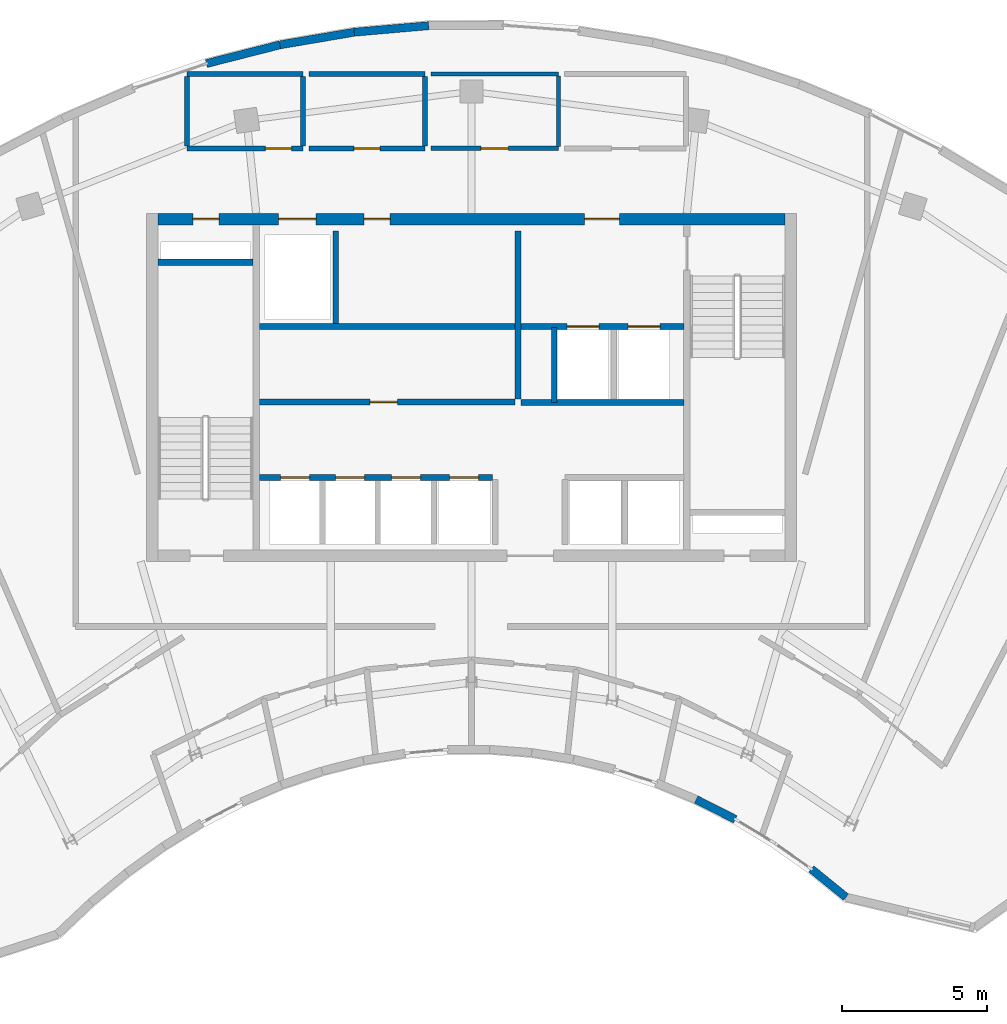
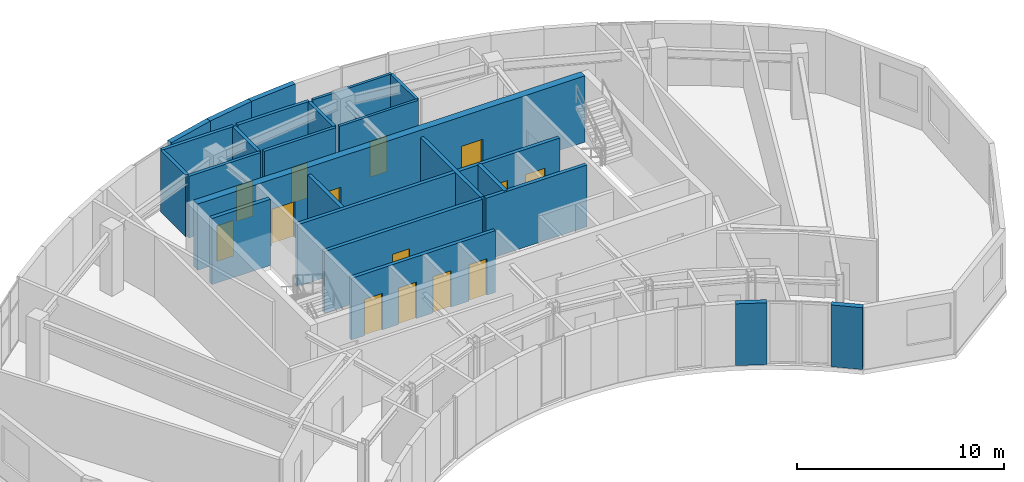
# One storey, part 6 of 9: 25 walls, 14 doors, 14 openings.
"""IFC4 building model written with IfcOpenShell, lengths in metres."""

from ifc_helpers import new_model, si_unit, direction, frame, frame_2d, origin, place, context, subcontext, project, spatial, rectangle, extrude, source, transform, mapped, material, layer, layer_set, type_object, type_shapes, element, fill, save


model = new_model("IFC4")

# Units and contexts
model_context = context("Model", 3, precision=1e-05, world=origin(), true_north=direction((0.0, 1.0)))
body_context = subcontext(model_context, "Body", "Model", "MODEL_VIEW")
ifc_project = project(units=[si_unit("LENGTHUNIT", "METRE"), si_unit("AREAUNIT", "SQUARE_METRE"), si_unit("VOLUMEUNIT", "CUBIC_METRE"), si_unit("PLANEANGLEUNIT", "RADIAN"), si_unit("MASSUNIT", "GRAM", prefix="KILO")], contexts=[model_context])

# Site, building, storey
site_placement = place(None, origin())
site = spatial("IfcSite", under=ifc_project, at=site_placement, CompositionType="ELEMENT")
building_placement = place(site_placement, origin())
building = spatial("IfcBuilding", under=site, at=building_placement, Name="Breltana Convention Tower", CompositionType="ELEMENT")
storey_placement = place(building_placement, frame((0.0, 0.0, 287.39990234375)))
storey = spatial("IfcBuildingStorey", under=building, at=storey_placement, Name="L70", CompositionType="ELEMENT", Elevation=287.39990234375)

# Wall
ifc_material_1 = material(Name="Concrete C50/60", Category="concrete")
ifc_layer_1 = layer(ifc_material_1, 0.39990234375, Name="Concrete C50/60")
ifc_layer_set_1 = layer_set([ifc_layer_1], Name="Concrete C50/60")
wall_type_1 = type_object("IfcWallType", Name="SW-CORE-400", PredefinedType="SHEAR", material=ifc_layer_set_1)
shared_shape_1 = source(origin(), body_context, "Body", "SweptSolid", [
    extrude(rectangle(XDim=3.27001953125, YDim=0.219970703125, at=frame_2d((1.635009765625, 0.0))), origin(), (0.0, 0.0, 1.0), 3.900146484375),
])
wall_1_placement = place(storey_placement, frame((37.199951171875, 70.510009765625, 0.0), z_axis=(0.0, 0.0, 1.0), x_axis=(1.0, 0.0, 0.0)))
element("IfcWall", 1, at=wall_1_placement, inside=storey, type_object=wall_type_1, Name="L70 ST-1 Stairwell North Bearing Wall", PredefinedType="SHEAR", context=body_context, shape_type="MappedRepresentation", body=[
    mapped(shared_shape_1, transform((0.0, 0.0, 0.0), scale=1.0)),
])

# Wall, openings, doors
shared_shape_2 = source(origin(), body_context, "Body", "SweptSolid", [
    extrude(rectangle(XDim=21.60009765625, YDim=0.39990234375, at=frame_2d((10.800048828125, 0.0))), origin(), (0.0, 0.0, 1.0), 3.900146484375),
])
wall_2_placement = place(storey_placement, frame((37.199951171875, 72.0, 0.0), z_axis=(0.0, 0.0, 1.0), x_axis=(1.0, 0.0, 0.0)))
wall_2 = element("IfcWall", 2, at=wall_2_placement, inside=storey, type_object=wall_type_1, Name="L70 North Core Shear Wall", PredefinedType="SHEAR", context=body_context, shape_type="MappedRepresentation", body=[
    mapped(shared_shape_2, transform((0.0, 0.0, 0.0), scale=1.0)),
])
opening_1_placement = place(wall_2_placement, frame((1.199951171875, 0.0, 0.0)))
opening_1 = element("IfcOpeningElement", 3, at=opening_1_placement, cuts=wall_2, Name="Opening D-18", PredefinedType="OPENING", context=body_context, shape_type="SweptSolid", body=[
    extrude(rectangle(XDim=0.89990234375, YDim=2.10009765625, at=frame_2d((0.449951171875, 1.050048828125))), frame((0.0, 0.2099609375, 0.0), z_axis=(0.0, -1.0, 0.0), x_axis=(1.0, 0.0, 0.0)), (0.0, 0.0, 1.0), 0.419921875),
])
opening_2_placement = place(wall_2_placement, frame((14.699951171875, 0.0, 0.0)))
opening_2 = element("IfcOpeningElement", 4, at=opening_2_placement, cuts=wall_2, Name="Opening D-09", PredefinedType="OPENING", context=body_context, shape_type="SweptSolid", body=[
    extrude(rectangle(XDim=1.199951171875, YDim=2.14990234375, at=frame_2d((0.60009765625, 1.074951171875))), frame((0.0, 0.2099609375, 0.0), z_axis=(0.0, -1.0, 0.0), x_axis=(1.0, 0.0, 0.0)), (0.0, 0.0, 1.0), 0.419921875),
])
opening_3_placement = place(wall_2_placement, frame((4.14990234375, 0.0, 0.0)))
opening_3 = element("IfcOpeningElement", 5, at=opening_3_placement, cuts=wall_2, Name="Opening LD-01", PredefinedType="OPENING", context=body_context, shape_type="SweptSolid", body=[
    extrude(rectangle(XDim=1.300048828125, YDim=2.14990234375, at=frame_2d((0.64990234375, 1.074951171875))), frame((0.0, 0.2099609375, 0.0), z_axis=(0.0, -1.0, 0.0), x_axis=(1.0, 0.0, 0.0)), (0.0, 0.0, 1.0), 0.419921875),
])
opening_4_placement = place(wall_2_placement, frame((7.10009765625, 0.0, 0.0)))
opening_4 = element("IfcOpeningElement", 6, at=opening_4_placement, cuts=wall_2, Name="Opening D-18", PredefinedType="OPENING", context=body_context, shape_type="SweptSolid", body=[
    extrude(rectangle(XDim=0.89990234375, YDim=2.10009765625, at=frame_2d((0.449951171875, 1.050048828125))), frame((0.0, 0.2099609375, 0.0), z_axis=(0.0, -1.0, 0.0), x_axis=(1.0, 0.0, 0.0)), (0.0, 0.0, 1.0), 0.419921875),
])
ifc_material_2 = material(Name="Steel Riser Fire Door", Category="steel")
door_type_1 = type_object("IfcDoorType", Name="DR-FD60-900", OperationType="NOTDEFINED", PredefinedType="DOOR", material=ifc_material_2)
shared_shape_3 = source(origin(), body_context, "Body", "SweptSolid", [
    extrude(rectangle(XDim=0.89990234375, YDim=2.10009765625, at=frame_2d((0.449951171875, 1.050048828125))), frame((0.0, 0.02490234375, 0.0), z_axis=(0.0, -1.0, 0.0), x_axis=(1.0, 0.0, 0.0)), (0.0, 0.0, 1.0), 0.050048828125),
])
type_shapes(door_type_1, [shared_shape_3])
door_1_placement = place(opening_1_placement, origin())
door_1 = element("IfcDoor", 7, at=door_1_placement, inside=storey, type_object=door_type_1, Name="L70 Core Riser Access Door D-L70-RS1", OperationType="SINGLE_SWING_LEFT", OverallHeight=2.10009765625, OverallWidth=0.89990234375, PredefinedType="DOOR", context=body_context, shape_type="MappedRepresentation", body=[
    mapped(shared_shape_3, transform((0.0, 0.0, 0.0), scale=1.0)),
])
fill(opening_1, door_1)
door_2_placement = place(opening_4_placement, origin())
door_2 = element("IfcDoor", 8, at=door_2_placement, inside=storey, type_object=door_type_1, Name="L70 interior door D-L70-CRA1", OperationType="SINGLE_SWING_RIGHT", OverallHeight=2.10009765625, OverallWidth=0.89990234375, PredefinedType="DOOR", context=body_context, shape_type="MappedRepresentation", body=[
    mapped(shared_shape_3, transform((0.0, 0.0, 0.0), scale=1.0)),
])
fill(opening_4, door_2)
ifc_material_3 = material(Name="Steel Fire Lobby Door", Category="steel")
door_type_2 = type_object("IfcDoorType", Name="DR-FD120-1200", OperationType="NOTDEFINED", PredefinedType="DOOR", material=ifc_material_3)
shared_shape_4 = source(origin(), body_context, "Body", "SweptSolid", [
    extrude(rectangle(XDim=1.199951171875, YDim=2.14990234375, at=frame_2d((0.60009765625, 1.074951171875))), frame((0.0, 0.02490234375, 0.0), z_axis=(0.0, -1.0, 0.0), x_axis=(1.0, 0.0, 0.0)), (0.0, 0.0, 1.0), 0.050048828125),
])
type_shapes(door_type_2, [shared_shape_4])
door_3_placement = place(opening_2_placement, origin())
door_3 = element("IfcDoor", 9, at=door_3_placement, inside=storey, type_object=door_type_2, Name="L70 interior door D-L70-FFL-N", OperationType="SINGLE_SWING_RIGHT", OverallHeight=2.14990234375, OverallWidth=1.199951171875, PredefinedType="DOOR", context=body_context, shape_type="MappedRepresentation", body=[
    mapped(shared_shape_4, transform((0.0, 0.0, 0.0), scale=1.0)),
])
fill(opening_2, door_3)
ifc_material_4 = material(Name="Stainless Steel Brushed", Category="steel")
door_type_3 = type_object("IfcDoorType", Name="DR-LD-SRV-1300", OperationType="DOUBLE_DOOR_SLIDING", PredefinedType="DOOR", material=ifc_material_4)
shared_shape_5 = source(origin(), body_context, "Body", "SweptSolid", [
    extrude(rectangle(XDim=1.300048828125, YDim=2.14990234375, at=frame_2d((0.64990234375, 1.074951171875))), frame((0.0, 0.02490234375, 0.0), z_axis=(0.0, -1.0, 0.0), x_axis=(1.0, 0.0, 0.0)), (0.0, 0.0, 1.0), 0.050048828125),
])
type_shapes(door_type_3, [shared_shape_5])
door_4_placement = place(opening_3_placement, origin())
door_4 = element("IfcDoor", 10, at=door_4_placement, inside=storey, type_object=door_type_3, Name="L70 Lift Landing Door D-L70-LD-SV1", OperationType="DOUBLE_DOOR_SLIDING", OverallHeight=2.14990234375, OverallWidth=1.300048828125, PredefinedType="DOOR", context=body_context, shape_type="MappedRepresentation", body=[
    mapped(shared_shape_5, transform((0.0, 0.0, 0.0), scale=1.0)),
])
fill(opening_3, door_4)

# Walls
ifc_material_5 = material(Name="Limestone Buff Insulated Wall", Category="masonry")
ifc_layer_2 = layer(ifc_material_5, 0.280029296875, Name="Limestone Buff Insulated Wall")
ifc_layer_set_2 = layer_set([ifc_layer_2], Name="Limestone Buff Insulated Wall")
wall_type_2 = type_object("IfcWallType", Name="WL-EXT-NOSE-280", PredefinedType="SOLIDWALL", material=ifc_layer_set_2)
shared_shape_6 = source(origin(), body_context, "Body", "SweptSolid", [
    extrude(rectangle(XDim=1.54345703125, YDim=0.280029296875, at=frame_2d((0.771728515625, 0.0))), origin(), (0.0, 0.0, 1.0), 3.64013671875),
])
wall_3_placement = place(storey_placement, frame((60.90771484375, 48.631591796875, 0.0), z_axis=(0.0, 0.0, 1.0), x_axis=(-0.77582846857, 0.63094388606, 0.0)))
element("IfcWall", 11, at=wall_3_placement, inside=storey, type_object=wall_type_2, Name="L70 curved limestone nose wall E6", PredefinedType="SOLIDWALL", context=body_context, shape_type="MappedRepresentation", body=[
    mapped(shared_shape_6, transform((0.0, 0.0, 0.0), scale=1.0)),
])
shared_shape_7 = source(origin(), body_context, "Body", "SweptSolid", [
    extrude(rectangle(XDim=1.508544921875, YDim=0.280029296875, at=frame_2d((0.75439453125, 0.0))), origin(), (0.0, 0.0, 1.0), 3.64013671875),
])
wall_4_placement = place(storey_placement, frame((57.09375, 51.3154296875, 0.0), z_axis=(0.0, 0.0, 1.0), x_axis=(-0.89169189228, 0.452642871635, 0.0)))
element("IfcWall", 12, at=wall_4_placement, inside=storey, type_object=wall_type_2, Name="L70 curved limestone nose wall E7", PredefinedType="SOLIDWALL", context=body_context, shape_type="MappedRepresentation", body=[
    mapped(shared_shape_7, transform((0.0, 0.0, 0.0), scale=1.0)),
])
shared_shape_8 = source(origin(), body_context, "Body", "SweptSolid", [
    extrude(rectangle(XDim=2.6142578125, YDim=0.280029296875, at=frame_2d((1.30712890625, 0.0))), origin(), (0.0, 0.0, 1.0), 3.64013671875),
])
wall_5_placement = place(storey_placement, frame((38.86328125, 77.36181640625, 0.0), z_axis=(0.0, 0.0, 1.0), x_axis=(0.969106509315, 0.246642602978, 0.0)))
element("IfcWall", 13, at=wall_5_placement, inside=storey, type_object=wall_type_2, Name="L70 curved limestone nose wall E24", PredefinedType="SOLIDWALL", context=body_context, shape_type="MappedRepresentation", body=[
    mapped(shared_shape_8, transform((0.0, 0.0, 0.0), scale=1.0)),
])
shared_shape_9 = source(origin(), body_context, "Body", "SweptSolid", [
    extrude(rectangle(XDim=2.58251953125, YDim=0.280029296875, at=frame_2d((1.291259765625, 0.0))), origin(), (0.0, 0.0, 1.0), 3.64013671875),
])
wall_6_placement = place(storey_placement, frame((43.954345703125, 78.4423828125, 0.0), z_axis=(0.0, 0.0, 1.0), x_axis=(0.996168946569, 0.087449584851, 0.0)))
element("IfcWall", 14, at=wall_6_placement, inside=storey, type_object=wall_type_2, Name="L70 curved limestone nose wall E26", PredefinedType="SOLIDWALL", context=body_context, shape_type="MappedRepresentation", body=[
    mapped(shared_shape_9, transform((0.0, 0.0, 0.0), scale=1.0)),
])
shared_shape_10 = source(origin(), body_context, "Body", "SweptSolid", [
    extrude(rectangle(XDim=2.594482421875, YDim=0.280029296875, at=frame_2d((1.29736328125, 0.0))), origin(), (0.0, 0.0, 1.0), 3.64013671875),
])
wall_7_placement = place(storey_placement, frame((41.396728515625, 78.006591796875, 0.0), z_axis=(0.0, 0.0, 1.0), x_axis=(0.985792341502, 0.167968626344, 0.0)))
element("IfcWall", 15, at=wall_7_placement, inside=storey, type_object=wall_type_2, Name="L70 curved limestone nose wall E25", PredefinedType="SOLIDWALL", context=body_context, shape_type="MappedRepresentation", body=[
    mapped(shared_shape_10, transform((0.0, 0.0, 0.0), scale=1.0)),
])

# Wall, openings, doors
ifc_material_6 = material(Name="Autoclaved Aerated Concrete Block", Category="concrete")
ifc_layer_3 = layer(ifc_material_6, 0.199951171875, Name="Autoclaved Aerated Concrete Block")
ifc_layer_set_3 = layer_set([ifc_layer_3], Name="Autoclaved Aerated Concrete Block")
wall_type_3 = type_object("IfcWallType", Name="WL-SHAFT-200", PredefinedType="SOLIDWALL", material=ifc_layer_set_3)
shared_shape_11 = source(origin(), body_context, "Body", "SweptSolid", [
    extrude(rectangle(XDim=5.6201171875, YDim=0.199951171875, at=frame_2d((2.81005859375, 0.0))), origin(), (0.0, 0.0, 1.0), 3.64013671875),
])
wall_8_placement = place(storey_placement, frame((49.699951171875, 68.300048828125, 0.0), z_axis=(0.0, 0.0, 1.0), x_axis=(1.0, 0.0, 0.0)))
wall_8 = element("IfcWall", 16, at=wall_8_placement, inside=storey, type_object=wall_type_3, Name="L70 interior partition W-L70-FFL-S", PredefinedType="SOLIDWALL", context=body_context, shape_type="MappedRepresentation", body=[
    mapped(shared_shape_11, transform((0.0, 0.0, 0.0), scale=1.0)),
])
opening_5_placement = place(wall_8_placement, frame((1.60009765625, 0.0, 0.0)))
opening_5 = element("IfcOpeningElement", 17, at=opening_5_placement, cuts=wall_8, Name="Opening LD-03", PredefinedType="OPENING", context=body_context, shape_type="SweptSolid", body=[
    extrude(rectangle(XDim=1.10009765625, YDim=2.14990234375, at=frame_2d((0.550048828125, 1.074951171875))), frame((0.0, 0.10986328125, 0.0), z_axis=(0.0, -1.0, 0.0), x_axis=(1.0, 0.0, 0.0)), (0.0, 0.0, 1.0), 0.219970703125),
])
opening_6_placement = place(wall_8_placement, frame((3.699951171875, 0.0, 0.0)))
opening_6 = element("IfcOpeningElement", 18, at=opening_6_placement, cuts=wall_8, Name="Opening LD-03", PredefinedType="OPENING", context=body_context, shape_type="SweptSolid", body=[
    extrude(rectangle(XDim=1.10009765625, YDim=2.14990234375, at=frame_2d((0.550048828125, 1.074951171875))), frame((0.0, 0.10986328125, 0.0), z_axis=(0.0, -1.0, 0.0), x_axis=(1.0, 0.0, 0.0)), (0.0, 0.0, 1.0), 0.219970703125),
])
door_type_4 = type_object("IfcDoorType", Name="DR-LD-FF-1100", OperationType="DOUBLE_DOOR_SLIDING", PredefinedType="DOOR", material=ifc_material_4)
shared_shape_12 = source(origin(), body_context, "Body", "SweptSolid", [
    extrude(rectangle(XDim=1.10009765625, YDim=2.14990234375, at=frame_2d((0.550048828125, 1.074951171875))), frame((0.0, 0.02490234375, 0.0), z_axis=(0.0, -1.0, 0.0), x_axis=(1.0, 0.0, 0.0)), (0.0, 0.0, 1.0), 0.050048828125),
])
type_shapes(door_type_4, [shared_shape_12])
door_5_placement = place(opening_5_placement, origin())
door_5 = element("IfcDoor", 19, at=door_5_placement, inside=storey, type_object=door_type_4, Name="L70 Lift Landing Door D-L70-LD-FL1", OperationType="DOUBLE_DOOR_SLIDING", OverallHeight=2.14990234375, OverallWidth=1.10009765625, PredefinedType="DOOR", context=body_context, shape_type="MappedRepresentation", body=[
    mapped(shared_shape_12, transform((0.0, 0.0, 0.0), scale=1.0)),
])
fill(opening_5, door_5)
door_6_placement = place(opening_6_placement, origin())
door_6 = element("IfcDoor", 20, at=door_6_placement, inside=storey, type_object=door_type_4, Name="L70 Lift Landing Door D-L70-LD-FL2", OperationType="DOUBLE_DOOR_SLIDING", OverallHeight=2.14990234375, OverallWidth=1.10009765625, PredefinedType="DOOR", context=body_context, shape_type="MappedRepresentation", body=[
    mapped(shared_shape_12, transform((0.0, 0.0, 0.0), scale=1.0)),
])
fill(opening_6, door_6)

# Walls
wall_9_placement = place(storey_placement, frame((49.699951171875, 65.679931640625, 0.0), z_axis=(0.0, 0.0, 1.0), x_axis=(1.0, 0.0, 0.0)))
element("IfcWall", 21, at=wall_9_placement, inside=storey, type_object=wall_type_3, Name="L70 interior partition W-L70-FL-S", PredefinedType="SOLIDWALL", context=body_context, shape_type="MappedRepresentation", body=[
    mapped(shared_shape_11, transform((0.0, 0.0, 0.0), scale=1.0)),
])
shared_shape_13 = source(origin(), body_context, "Body", "SweptSolid", [
    extrude(rectangle(XDim=5.800048828125, YDim=0.199951171875, at=frame_2d((2.89990234375, 0.0))), origin(), (0.0, 0.0, 1.0), 3.64013671875),
])
wall_10_placement = place(storey_placement, frame((49.60009765625, 65.800048828125, 0.0), z_axis=(0.0, 0.0, 1.0), x_axis=(0.0, 1.0, 0.0)))
element("IfcWall", 22, at=wall_10_placement, inside=storey, type_object=wall_type_3, Name="L70 interior partition W-L70-FFL-W", PredefinedType="SOLIDWALL", context=body_context, shape_type="MappedRepresentation", body=[
    mapped(shared_shape_13, transform((0.0, 0.0, 0.0), scale=1.0)),
])
shared_shape_14 = source(origin(), body_context, "Body", "SweptSolid", [
    extrude(rectangle(XDim=2.580078125, YDim=0.199951171875, at=frame_2d((1.2900390625, 0.0))), origin(), (0.0, 0.0, 1.0), 3.64013671875),
])
wall_11_placement = place(storey_placement, frame((50.85009765625, 65.679931640625, 0.0), z_axis=(0.0, 0.0, 1.0), x_axis=(0.0, 1.0, 0.0)))
element("IfcWall", 23, at=wall_11_placement, inside=storey, type_object=wall_type_3, Name="L70 interior partition W-L70-FL-W", PredefinedType="SOLIDWALL", context=body_context, shape_type="MappedRepresentation", body=[
    mapped(shared_shape_14, transform((0.0, 0.0, 0.0), scale=1.0)),
])
shared_shape_15 = source(origin(), body_context, "Body", "SweptSolid", [
    extrude(rectangle(XDim=3.2001953125, YDim=0.199951171875, at=frame_2d((1.60009765625, 0.0))), origin(), (0.0, 0.0, 1.0), 3.64013671875),
])
wall_12_placement = place(storey_placement, frame((43.320068359375, 68.39990234375, 0.0), z_axis=(0.0, 0.0, 1.0), x_axis=(0.0, 1.0, 0.0)))
element("IfcWall", 24, at=wall_12_placement, inside=storey, type_object=wall_type_3, Name="L70 interior partition W-L70-SV-E", PredefinedType="SOLIDWALL", context=body_context, shape_type="MappedRepresentation", body=[
    mapped(shared_shape_15, transform((0.0, 0.0, 0.0), scale=1.0)),
])
shared_shape_16 = source(origin(), body_context, "Body", "SweptSolid", [
    extrude(rectangle(XDim=8.800048828125, YDim=0.199951171875, at=frame_2d((4.39990234375, 0.0))), origin(), (0.0, 0.0, 1.0), 3.64013671875),
])
wall_13_placement = place(storey_placement, frame((40.699951171875, 68.300048828125, 0.0), z_axis=(0.0, 0.0, 1.0), x_axis=(1.0, 0.0, 0.0)))
element("IfcWall", 25, at=wall_13_placement, inside=storey, type_object=wall_type_3, Name="L70 interior partition W-L70-SV-S", PredefinedType="SOLIDWALL", context=body_context, shape_type="MappedRepresentation", body=[
    mapped(shared_shape_16, transform((0.0, 0.0, 0.0), scale=1.0)),
])

# Wall, opening, door
wall_14_placement = place(storey_placement, frame((40.699951171875, 65.699951171875, 0.0), z_axis=(0.0, 0.0, 1.0), x_axis=(1.0, 0.0, 0.0)))
wall_14 = element("IfcWall", 26, at=wall_14_placement, inside=storey, type_object=wall_type_3, Name="L70 interior partition W-L70-SH-M-FRONT", PredefinedType="SOLIDWALL", context=body_context, shape_type="MappedRepresentation", body=[
    mapped(shared_shape_16, transform((0.0, 0.0, 0.0), scale=1.0)),
])
opening_7_placement = place(wall_14_placement, frame((3.800048828125, 0.0, 0.0)))
opening_7 = element("IfcOpeningElement", 27, at=opening_7_placement, cuts=wall_14, Name="Opening D-14", PredefinedType="OPENING", context=body_context, shape_type="SweptSolid", body=[
    extrude(rectangle(XDim=0.949951171875, YDim=2.14990234375, at=frame_2d((0.47509765625, 1.074951171875))), frame((0.0, 0.10986328125, 0.0), z_axis=(0.0, -1.0, 0.0), x_axis=(1.0, 0.0, 0.0)), (0.0, 0.0, 1.0), 0.219970703125),
])
ifc_material_7 = material(Name="Timber Solid-Core Fire Door", Category="wood")
door_type_5 = type_object("IfcDoorType", Name="DR-FD60-950", OperationType="NOTDEFINED", PredefinedType="DOOR", material=ifc_material_7)
shared_shape_17 = source(origin(), body_context, "Body", "SweptSolid", [
    extrude(rectangle(XDim=0.949951171875, YDim=2.14990234375, at=frame_2d((0.47509765625, 1.074951171875))), frame((0.0, 0.02490234375, 0.0), z_axis=(0.0, -1.0, 0.0), x_axis=(1.0, 0.0, 0.0)), (0.0, 0.0, 1.0), 0.050048828125),
])
type_shapes(door_type_5, [shared_shape_17])
door_7_placement = place(opening_7_placement, origin())
door_7 = element("IfcDoor", 28, at=door_7_placement, inside=storey, type_object=door_type_5, Name="L70 interior door D-L70-LV7-B2A", OperationType="SINGLE_SWING_LEFT", OverallHeight=2.14990234375, OverallWidth=0.949951171875, PredefinedType="DOOR", context=body_context, shape_type="MappedRepresentation", body=[
    mapped(shared_shape_17, transform((0.0, 0.0, 0.0), scale=1.0)),
])
fill(opening_7, door_7)

# Wall, openings, doors
shared_shape_18 = source(origin(), body_context, "Body", "SweptSolid", [
    extrude(rectangle(XDim=8.02001953125, YDim=0.199951171875, at=frame_2d((4.010009765625, 0.0))), origin(), (0.0, 0.0, 1.0), 3.64013671875),
])
wall_15_placement = place(storey_placement, frame((40.699951171875, 63.10009765625, 0.0), z_axis=(0.0, 0.0, 1.0), x_axis=(1.0, 0.0, 0.0)))
wall_15 = element("IfcWall", 29, at=wall_15_placement, inside=storey, type_object=wall_type_3, Name="L70 interior partition W-L70-SH-S-FRONT", PredefinedType="SOLIDWALL", context=body_context, shape_type="MappedRepresentation", body=[
    mapped(shared_shape_18, transform((0.0, 0.0, 0.0), scale=1.0)),
])
opening_8_placement = place(wall_15_placement, frame((0.719970703125, 0.0, 0.0)))
opening_8 = element("IfcOpeningElement", 30, at=opening_8_placement, cuts=wall_15, Name="Opening LD-04", PredefinedType="OPENING", context=body_context, shape_type="SweptSolid", body=[
    extrude(rectangle(XDim=1.0, YDim=2.14990234375, at=frame_2d((0.5, 1.074951171875))), frame((0.0, 0.10986328125, 0.0), z_axis=(0.0, -1.0, 0.0), x_axis=(1.0, 0.0, 0.0)), (0.0, 0.0, 1.0), 0.219970703125),
])
opening_9_placement = place(wall_15_placement, frame((2.6201171875, 0.0, 0.0)))
opening_9 = element("IfcOpeningElement", 31, at=opening_9_placement, cuts=wall_15, Name="Opening LD-04", PredefinedType="OPENING", context=body_context, shape_type="SweptSolid", body=[
    extrude(rectangle(XDim=1.0, YDim=2.14990234375, at=frame_2d((0.5, 1.074951171875))), frame((0.0, 0.10986328125, 0.0), z_axis=(0.0, -1.0, 0.0), x_axis=(1.0, 0.0, 0.0)), (0.0, 0.0, 1.0), 0.219970703125),
])
opening_10_placement = place(wall_15_placement, frame((4.550048828125, 0.0, 0.0)))
opening_10 = element("IfcOpeningElement", 32, at=opening_10_placement, cuts=wall_15, Name="Opening LD-04", PredefinedType="OPENING", context=body_context, shape_type="SweptSolid", body=[
    extrude(rectangle(XDim=1.0, YDim=2.14990234375, at=frame_2d((0.5, 1.074951171875))), frame((0.0, 0.10986328125, 0.0), z_axis=(0.0, -1.0, 0.0), x_axis=(1.0, 0.0, 0.0)), (0.0, 0.0, 1.0), 0.219970703125),
])
opening_11_placement = place(wall_15_placement, frame((6.550048828125, 0.0, 0.0)))
opening_11 = element("IfcOpeningElement", 33, at=opening_11_placement, cuts=wall_15, Name="Opening LD-04", PredefinedType="OPENING", context=body_context, shape_type="SweptSolid", body=[
    extrude(rectangle(XDim=1.0, YDim=2.14990234375, at=frame_2d((0.5, 1.074951171875))), frame((0.0, 0.10986328125, 0.0), z_axis=(0.0, -1.0, 0.0), x_axis=(1.0, 0.0, 0.0)), (0.0, 0.0, 1.0), 0.219970703125),
])
door_type_6 = type_object("IfcDoorType", Name="DR-LD-PAX-1000", OperationType="DOUBLE_DOOR_SLIDING", PredefinedType="DOOR", material=ifc_material_4)
shared_shape_19 = source(origin(), body_context, "Body", "SweptSolid", [
    extrude(rectangle(XDim=1.0, YDim=2.14990234375, at=frame_2d((0.5, 1.074951171875))), frame((0.0, 0.02490234375, 0.0), z_axis=(0.0, -1.0, 0.0), x_axis=(1.0, 0.0, 0.0)), (0.0, 0.0, 1.0), 0.050048828125),
])
type_shapes(door_type_6, [shared_shape_19])
door_8_placement = place(opening_8_placement, origin())
door_8 = element("IfcDoor", 34, at=door_8_placement, inside=storey, type_object=door_type_6, Name="L70 Lift Landing Door D-L70-LD-S1", OperationType="DOUBLE_DOOR_SLIDING", OverallHeight=2.14990234375, OverallWidth=1.0, PredefinedType="DOOR", context=body_context, shape_type="MappedRepresentation", body=[
    mapped(shared_shape_19, transform((0.0, 0.0, 0.0), scale=1.0)),
])
fill(opening_8, door_8)
door_9_placement = place(opening_9_placement, origin())
door_9 = element("IfcDoor", 35, at=door_9_placement, inside=storey, type_object=door_type_6, Name="L70 Lift Landing Door D-L70-LD-S2", OperationType="DOUBLE_DOOR_SLIDING", OverallHeight=2.14990234375, OverallWidth=1.0, PredefinedType="DOOR", context=body_context, shape_type="MappedRepresentation", body=[
    mapped(shared_shape_19, transform((0.0, 0.0, 0.0), scale=1.0)),
])
fill(opening_9, door_9)
door_10_placement = place(opening_10_placement, origin())
door_10 = element("IfcDoor", 36, at=door_10_placement, inside=storey, type_object=door_type_6, Name="L70 Lift Landing Door D-L70-LD-S3", OperationType="DOUBLE_DOOR_SLIDING", OverallHeight=2.14990234375, OverallWidth=1.0, PredefinedType="DOOR", context=body_context, shape_type="MappedRepresentation", body=[
    mapped(shared_shape_19, transform((0.0, 0.0, 0.0), scale=1.0)),
])
fill(opening_10, door_10)
door_11_placement = place(opening_11_placement, origin())
door_11 = element("IfcDoor", 37, at=door_11_placement, inside=storey, type_object=door_type_6, Name="L70 Lift Landing Door D-L70-LD-S4", OperationType="DOUBLE_DOOR_SLIDING", OverallHeight=2.14990234375, OverallWidth=1.0, PredefinedType="DOOR", context=body_context, shape_type="MappedRepresentation", body=[
    mapped(shared_shape_19, transform((0.0, 0.0, 0.0), scale=1.0)),
])
fill(opening_11, door_11)

# Wall, opening, door
ifc_material_8 = material(Name="Cement Board Wet-Area Partition")
ifc_layer_4 = layer(ifc_material_8, 0.175048828125, Name="Cement Board Wet-Area Partition")
ifc_layer_set_4 = layer_set([ifc_layer_4], Name="Cement Board Wet-Area Partition")
wall_type_4 = type_object("IfcWallType", Name="WL-WET-175", PredefinedType="PARTITIONING", material=ifc_layer_set_4)
shared_shape_20 = source(origin(), body_context, "Body", "SweptSolid", [
    extrude(rectangle(XDim=4.0, YDim=0.175048828125, at=frame_2d((2.0, 0.0))), origin(), (0.0, 0.0, 1.0), 3.64013671875),
])
wall_16_placement = place(storey_placement, frame((38.199951171875, 74.43994140625, 0.0), z_axis=(0.0, 0.0, 1.0), x_axis=(1.0, 0.0, 0.0)))
wall_16 = element("IfcWall", 38, at=wall_16_placement, inside=storey, type_object=wall_type_4, Name="L70 interior partition W-L70-WCM-S", PredefinedType="PARTITIONING", context=body_context, shape_type="MappedRepresentation", body=[
    mapped(shared_shape_20, transform((0.0, 0.0, 0.0), scale=1.0)),
])
opening_12_placement = place(wall_16_placement, frame((2.699951171875, 0.0, 0.0)))
opening_12 = element("IfcOpeningElement", 39, at=opening_12_placement, cuts=wall_16, Name="Opening D-19", PredefinedType="OPENING", context=body_context, shape_type="SweptSolid", body=[
    extrude(rectangle(XDim=0.89990234375, YDim=2.080078125, at=frame_2d((0.449951171875, 1.0400390625))), frame((0.0, 0.09765625, 0.0), z_axis=(0.0, -1.0, 0.0), x_axis=(1.0, 0.0, 0.0)), (0.0, 0.0, 1.0), 0.195068359375),
])
ifc_material_9 = material(Name="Timber Moisture-Resistant Door", Category="wood")
door_type_7 = type_object("IfcDoorType", Name="DR-WC-900", OperationType="NOTDEFINED", PredefinedType="DOOR", material=ifc_material_9)
shared_shape_21 = source(origin(), body_context, "Body", "SweptSolid", [
    extrude(rectangle(XDim=0.89990234375, YDim=2.080078125, at=frame_2d((0.449951171875, 1.0400390625))), frame((0.0, 0.02490234375, 0.0), z_axis=(0.0, -1.0, 0.0), x_axis=(1.0, 0.0, 0.0)), (0.0, 0.0, 1.0), 0.050048828125),
])
type_shapes(door_type_7, [shared_shape_21])
door_12_placement = place(opening_12_placement, origin())
door_12 = element("IfcDoor", 40, at=door_12_placement, inside=storey, type_object=door_type_7, Name="L70 interior door D-L70-WCM", OperationType="SINGLE_SWING_RIGHT", OverallHeight=2.080078125, OverallWidth=0.89990234375, PredefinedType="DOOR", context=body_context, shape_type="MappedRepresentation", body=[
    mapped(shared_shape_21, transform((0.0, 0.0, 0.0), scale=1.0)),
])
fill(opening_12, door_12)

wall_17_placement = place(storey_placement, frame((42.39990234375, 74.43994140625, 0.0), z_axis=(0.0, 0.0, 1.0), x_axis=(1.0, 0.0, 0.0)))
wall_17 = element("IfcWall", 41, at=wall_17_placement, inside=storey, type_object=wall_type_4, Name="L70 interior partition W-L70-WCF-S", PredefinedType="PARTITIONING", context=body_context, shape_type="MappedRepresentation", body=[
    mapped(shared_shape_20, transform((0.0, 0.0, 0.0), scale=1.0)),
])
opening_13_placement = place(wall_17_placement, frame((1.550048828125, 0.0, 0.0)))
opening_13 = element("IfcOpeningElement", 42, at=opening_13_placement, cuts=wall_17, Name="Opening D-19", PredefinedType="OPENING", context=body_context, shape_type="SweptSolid", body=[
    extrude(rectangle(XDim=0.89990234375, YDim=2.080078125, at=frame_2d((0.449951171875, 1.0400390625))), frame((0.0, 0.09765625, 0.0), z_axis=(0.0, -1.0, 0.0), x_axis=(1.0, 0.0, 0.0)), (0.0, 0.0, 1.0), 0.195068359375),
])
door_13_placement = place(opening_13_placement, origin())
door_13 = element("IfcDoor", 43, at=door_13_placement, inside=storey, type_object=door_type_7, Name="L70 interior door D-L70-WCF", OperationType="SINGLE_SWING_LEFT", OverallHeight=2.080078125, OverallWidth=0.89990234375, PredefinedType="DOOR", context=body_context, shape_type="MappedRepresentation", body=[
    mapped(shared_shape_21, transform((0.0, 0.0, 0.0), scale=1.0)),
])
fill(opening_13, door_13)

# Walls
ifc_material_10 = material(Name="Moisture-Resistant Gypsum Chase Wall")
ifc_layer_5 = layer(ifc_material_10, 0.179931640625, Name="Moisture-Resistant Gypsum Chase Wall")
ifc_layer_set_5 = layer_set([ifc_layer_5], Name="Moisture-Resistant Gypsum Chase Wall")
wall_type_5 = type_object("IfcWallType", Name="WL-PLUMB-180", PredefinedType="PLUMBINGWALL", material=ifc_layer_set_5)
shared_shape_22 = source(origin(), body_context, "Body", "SweptSolid", [
    extrude(rectangle(XDim=4.0, YDim=0.179931640625, at=frame_2d((2.0, 0.0))), origin(), (0.0, 0.0, 1.0), 3.64013671875),
])
for number, where, z_axis, x_axis, name in (
    (44, (38.199951171875, 77.0, 0.0), (0.0, 0.0, 1.0), (1.0, 0.0, 0.0), "L70 interior partition W-L70-WCM-N"),
    (45, (42.39990234375, 77.0, 0.0), (0.0, 0.0, 1.0), (1.0, 0.0, 0.0), "L70 interior partition W-L70-WCF-N"),
):
    element("IfcWall", number, at=place(storey_placement, frame(where, z_axis=z_axis, x_axis=x_axis)), inside=storey, type_object=wall_type_5, Name=name, PredefinedType="PLUMBINGWALL", context=body_context, shape_type="MappedRepresentation", body=[
        mapped(shared_shape_22, transform((0.0, 0.0, 0.0), scale=1.0)),
    ])
shared_shape_23 = source(origin(), body_context, "Body", "SweptSolid", [
    extrude(rectangle(XDim=2.402587890625, YDim=0.175048828125, at=frame_2d((1.201171875, 0.0))), origin(), (0.0, 0.0, 1.0), 3.64013671875),
])
for number, where, z_axis, x_axis, name in (
    (46, (38.199951171875, 74.518798828125, 0.0), (0.0, 0.0, 1.0), (0.0, 1.0, 0.0), "L70 interior partition W-L70-WCM-W"),
    (47, (42.199951171875, 74.518798828125, 0.0), (0.0, 0.0, 1.0), (0.0, 1.0, 0.0), "L70 interior partition W-L70-WCM-E"),
    (48, (46.39990234375, 74.518798828125, 0.0), (0.0, 0.0, 1.0), (0.0, 1.0, 0.0), "L70 interior partition W-L70-WCF-E"),
):
    element("IfcWall", number, at=place(storey_placement, frame(where, z_axis=z_axis, x_axis=x_axis)), inside=storey, type_object=wall_type_4, Name=name, PredefinedType="PARTITIONING", context=body_context, shape_type="MappedRepresentation", body=[
        mapped(shared_shape_23, transform((0.0, 0.0, 0.0), scale=1.0)),
    ])

# Wall, opening, door
ifc_material_11 = material(Name="Gypsum Acoustic Drywall Partition")
ifc_layer_6 = layer(ifc_material_11, 0.14990234375, Name="Gypsum Acoustic Drywall Partition")
ifc_layer_set_6 = layer_set([ifc_layer_6], Name="Gypsum Acoustic Drywall Partition")
wall_type_6 = type_object("IfcWallType", Name="WL-PART-150", PredefinedType="PARTITIONING", material=ifc_layer_set_6)
shared_shape_24 = source(origin(), body_context, "Body", "SweptSolid", [
    extrude(rectangle(XDim=4.39990234375, YDim=0.14990234375, at=frame_2d((2.199951171875, 0.0))), origin(), (0.0, 0.0, 1.0), 3.64013671875),
])
wall_18_placement = place(storey_placement, frame((46.60009765625, 74.43994140625, 0.0), z_axis=(0.0, 0.0, 1.0), x_axis=(1.0, 0.0, 0.0)))
wall_18 = element("IfcWall", 49, at=wall_18_placement, inside=storey, type_object=wall_type_6, Name="L70 interior partition W-L70-PNT-S", PredefinedType="PARTITIONING", context=body_context, shape_type="MappedRepresentation", body=[
    mapped(shared_shape_24, transform((0.0, 0.0, 0.0), scale=1.0)),
])
opening_14_placement = place(wall_18_placement, frame((1.72509765625, 0.0, 0.0)))
opening_14 = element("IfcOpeningElement", 50, at=opening_14_placement, cuts=wall_18, Name="Opening D-17", PredefinedType="OPENING", context=body_context, shape_type="SweptSolid", body=[
    extrude(rectangle(XDim=0.949951171875, YDim=2.10009765625, at=frame_2d((0.47509765625, 1.050048828125))), frame((0.0, 0.0849609375, 0.0), z_axis=(0.0, -1.0, 0.0), x_axis=(1.0, 0.0, 0.0)), (0.0, 0.0, 1.0), 0.169921875),
])
ifc_material_12 = material(Name="Timber Oak Veneer Door", Category="wood")
door_type_8 = type_object("IfcDoorType", Name="DR-INT-950", OperationType="NOTDEFINED", PredefinedType="DOOR", material=ifc_material_12)
shared_shape_25 = source(origin(), body_context, "Body", "SweptSolid", [
    extrude(rectangle(XDim=0.949951171875, YDim=2.10009765625, at=frame_2d((0.47509765625, 1.050048828125))), frame((0.0, 0.02490234375, 0.0), z_axis=(0.0, -1.0, 0.0), x_axis=(1.0, 0.0, 0.0)), (0.0, 0.0, 1.0), 0.050048828125),
])
type_shapes(door_type_8, [shared_shape_25])
door_14_placement = place(opening_14_placement, origin())
door_14 = element("IfcDoor", 51, at=door_14_placement, inside=storey, type_object=door_type_8, Name="L70 interior door D-L70-PNT", OperationType="SINGLE_SWING_RIGHT", OverallHeight=2.10009765625, OverallWidth=0.949951171875, PredefinedType="DOOR", context=body_context, shape_type="MappedRepresentation", body=[
    mapped(shared_shape_25, transform((0.0, 0.0, 0.0), scale=1.0)),
])
fill(opening_14, door_14)

# Walls
wall_19_placement = place(storey_placement, frame((46.60009765625, 77.0, 0.0), z_axis=(0.0, 0.0, 1.0), x_axis=(1.0, 0.0, 0.0)))
element("IfcWall", 52, at=wall_19_placement, inside=storey, type_object=wall_type_6, Name="L70 interior partition W-L70-PNT-N", PredefinedType="PARTITIONING", context=body_context, shape_type="MappedRepresentation", body=[
    mapped(shared_shape_24, transform((0.0, 0.0, 0.0), scale=1.0)),
])
shared_shape_26 = source(origin(), body_context, "Body", "SweptSolid", [
    extrude(rectangle(XDim=2.425048828125, YDim=0.14990234375, at=frame_2d((1.21240234375, 0.0))), origin(), (0.0, 0.0, 1.0), 3.64013671875),
])
wall_20_placement = place(storey_placement, frame((51.0, 74.507568359375, 0.0), z_axis=(0.0, 0.0, 1.0), x_axis=(0.0, 1.0, 0.0)))
element("IfcWall", 53, at=wall_20_placement, inside=storey, type_object=wall_type_6, Name="L70 interior partition W-L70-PNT-E", PredefinedType="PARTITIONING", context=body_context, shape_type="MappedRepresentation", body=[
    mapped(shared_shape_26, transform((0.0, 0.0, 0.0), scale=1.0)),
])

save(model, "model.ifc")
